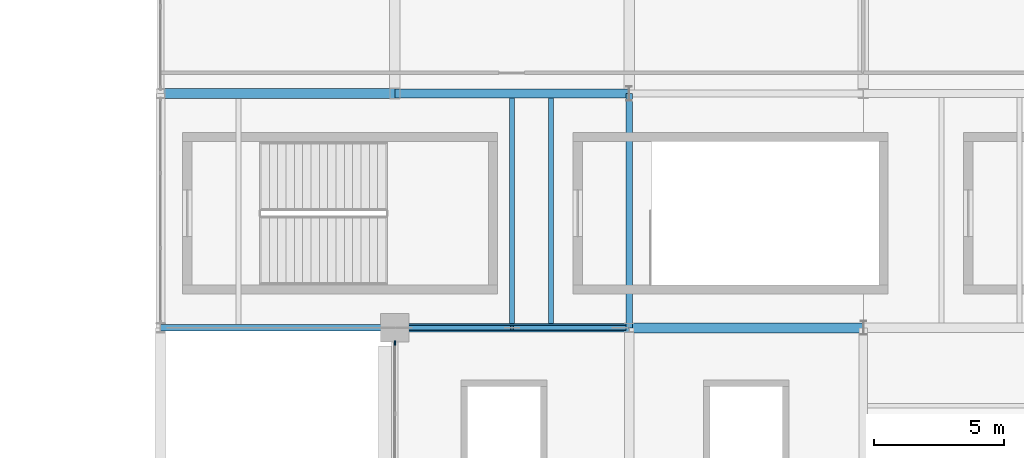
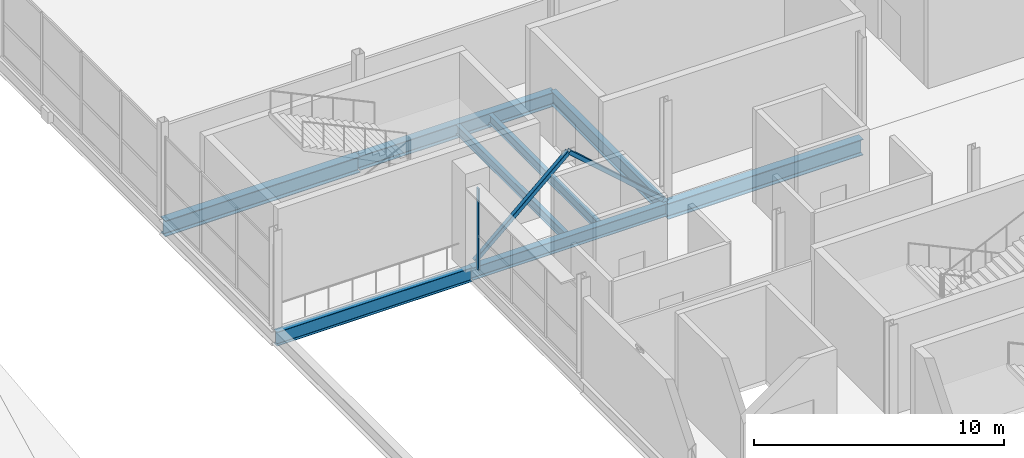
# One storey, part 27 of 69: 8 beams, 3 members, 1 element without a shape of its own.
"""IFC4 building model written with IfcOpenShell, lengths in metres."""

from ifc_helpers import new_model, si_unit, direction, frame, origin, origin_2d, place, context, subcontext, project, spatial, rectangle, hollow_rectangle, i_section, extrude, material, layer, layer_set, material_profile, profile_set, type_object, element, aggregate, save


model = new_model("IFC4")

# Units and contexts
model_context = context("Model", 3, precision=1e-05, world=origin(), true_north=direction((0.0, 1.0)))
body_context = subcontext(model_context, "Body", "Model", "MODEL_VIEW")
ifc_project = project(units=[si_unit("LENGTHUNIT", "METRE"), si_unit("AREAUNIT", "SQUARE_METRE"), si_unit("VOLUMEUNIT", "CUBIC_METRE"), si_unit("PLANEANGLEUNIT", "RADIAN"), si_unit("MASSUNIT", "GRAM", prefix="KILO")], contexts=[model_context])

# Site, building, storey
site_placement = place(None, origin())
site = spatial("IfcSite", under=ifc_project, at=site_placement, CompositionType="ELEMENT")
building_placement = place(site_placement, origin())
building = spatial("IfcBuilding", under=site, at=building_placement, Name="Qamarlyn Nura Convention Centre", CompositionType="ELEMENT")
storey_placement = place(building_placement, frame((0.0, 0.0, 15.60009765625)))
storey = spatial("IfcBuildingStorey", under=building, at=storey_placement, Name="L03", CompositionType="ELEMENT", Elevation=15.60009765625)

# Beams
ifc_material_1 = material(Name="Steel ASTM A992", Category="steel")
ifc_material_profile_1 = material_profile(ifc_material_1, i_section(OverallWidth=0.323974609375, OverallDepth=0.611083984375, WebThickness=0.0126953125, FlangeThickness=0.01904296875, FilletRadius=0.01611328125, at=origin_2d()), Name="W610X155")
ifc_profile_set_1 = profile_set([ifc_material_profile_1], Name="Steel ASTM A992")
beam_type_1 = type_object("IfcBeamType", Name="BM-GIRD-610", PredefinedType="BEAM", material=ifc_profile_set_1)
beam_1_placement = place(storey_placement, frame((153.0, 81.0, -0.505615234375), z_axis=(1.0, 0.0, 0.0), x_axis=(0.0, 1.0, 0.0)))
element("IfcBeam", 1, at=beam_1_placement, inside=storey, type_object=beam_type_1, Name="L03 girder K 13-14", PredefinedType="BEAM", context=body_context, shape_type="SweptSolid", body=[
    extrude(i_section(OverallWidth=0.323974609375, OverallDepth=0.611083984375, WebThickness=0.0126953125, FlangeThickness=0.01904296875, FilletRadius=0.01611328125, at=origin_2d()), origin(), (0.0, 0.0, 1.0), 9.0),
])
ifc_material_profile_2 = material_profile(ifc_material_1, i_section(OverallWidth=0.35498046875, OverallDepth=0.695068359375, WebThickness=0.015380859375, FlangeThickness=0.02490234375, FilletRadius=0.01806640625, at=origin_2d()), Name="W690X217")
ifc_profile_set_2 = profile_set([ifc_material_profile_2], Name="Steel ASTM A992")
beam_type_2 = type_object("IfcBeamType", Name="BM-GIRD-690A", PredefinedType="BEAM", material=ifc_profile_set_2)
beam_2_placement = place(storey_placement, frame((153.0, 90.0, -0.547607421875), z_axis=(1.0, 0.0, 0.0), x_axis=(0.0, 1.0, 0.0)))
element("IfcBeam", 2, at=beam_2_placement, inside=storey, type_object=beam_type_2, Name="L03 girder L 13-14", PredefinedType="BEAM", context=body_context, shape_type="SweptSolid", body=[
    extrude(i_section(OverallWidth=0.35498046875, OverallDepth=0.695068359375, WebThickness=0.015380859375, FlangeThickness=0.02490234375, FilletRadius=0.01806640625, at=origin_2d()), origin(), (0.0, 0.0, 1.0), 9.0),
])
ifc_material_profile_3 = material_profile(ifc_material_1, i_section(OverallWidth=0.25390625, OverallDepth=0.68408203125, WebThickness=0.012451171875, FlangeThickness=0.01904296875, FilletRadius=0.01806640625, at=origin_2d()), Name="W690X140")
ifc_profile_set_3 = profile_set([ifc_material_profile_3], Name="Steel ASTM A992")
beam_type_3 = type_object("IfcBeamType", Name="BM-GIRD-690B", PredefinedType="BEAM", material=ifc_profile_set_3)
for number, where, z_axis, x_axis, name in (
    (3, (144.0, 81.0, -0.5419921875), (1.0, 0.0, 0.0), (0.0, 1.0, 0.0), "L03 girder K 12-13"),
    (4, (162.0, 81.0, -0.5419921875), (0.0, 1.0, 0.0), (-1.0, 0.0, 0.0), "L03 girder 14 K-L"),
):
    element("IfcBeam", number, at=place(storey_placement, frame(where, z_axis=z_axis, x_axis=x_axis)), inside=storey, type_object=beam_type_3, Name=name, PredefinedType="BEAM", context=body_context, shape_type="SweptSolid", body=[
        extrude(i_section(OverallWidth=0.25390625, OverallDepth=0.68408203125, WebThickness=0.012451171875, FlangeThickness=0.01904296875, FilletRadius=0.01806640625, at=origin_2d()), origin(), (0.0, 0.0, 1.0), 9.0),
    ])
ifc_material_profile_4 = material_profile(ifc_material_1, i_section(OverallWidth=0.381103515625, OverallDepth=0.77294921875, WebThickness=0.0166015625, FlangeThickness=0.027587890625, FilletRadius=0.02001953125, at=origin_2d()), Name="W760X257")
ifc_profile_set_4 = profile_set([ifc_material_profile_4], Name="Steel ASTM A992")
beam_type_4 = type_object("IfcBeamType", Name="BM-GIRD-760", PredefinedType="BEAM", material=ifc_profile_set_4)
for number, where, z_axis, x_axis, name in (
    (5, (162.0, 81.0, -0.586669921875), (1.0, 0.0, 0.0), (0.0, 1.0, 0.0), "L03 girder K 14-15"),
    (6, (144.0, 90.0, -0.586669921875), (1.0, 0.0, 0.0), (0.0, 1.0, 0.0), "L03 girder L 12-13"),
):
    element("IfcBeam", number, at=place(storey_placement, frame(where, z_axis=z_axis, x_axis=x_axis)), inside=storey, type_object=beam_type_4, Name=name, PredefinedType="BEAM", context=body_context, shape_type="SweptSolid", body=[
        extrude(i_section(OverallWidth=0.381103515625, OverallDepth=0.77294921875, WebThickness=0.0166015625, FlangeThickness=0.027587890625, FilletRadius=0.02001953125, at=origin_2d()), origin(), (0.0, 0.0, 1.0), 9.0),
    ])
ifc_material_profile_5 = material_profile(ifc_material_1, i_section(OverallWidth=0.18994140625, OverallDepth=0.45703125, WebThickness=0.009033203125, FlangeThickness=0.014404296875, FilletRadius=0.012939453125, at=origin_2d()), Name="W460X74")
ifc_profile_set_5 = profile_set([ifc_material_profile_5], Name="Steel ASTM A992")
beam_type_5 = type_object("IfcBeamType", Name="BM-JOIST-460", PredefinedType="JOIST", material=ifc_profile_set_5)
for number, where, z_axis, x_axis, name in (
    (7, (159.0, 81.162109375, -0.4287109375), (0.0, 1.0, 0.0), (-1.0, 0.0, 0.0), "L03 secondary joist 13-14/K-L-12"),
    (8, (157.5, 81.162109375, -0.4287109375), (0.0, 1.0, 0.0), (-1.0, 0.0, 0.0), "L03 secondary joist 13-14/K-L-13"),
):
    element("IfcBeam", number, at=place(storey_placement, frame(where, z_axis=z_axis, x_axis=x_axis)), inside=storey, type_object=beam_type_5, Name=name, PredefinedType="JOIST", context=body_context, shape_type="SweptSolid", body=[
        extrude(i_section(OverallWidth=0.18994140625, OverallDepth=0.45703125, WebThickness=0.009033203125, FlangeThickness=0.014404296875, FilletRadius=0.012939453125, at=origin_2d()), origin(), (0.0, 0.0, 1.0), 8.660400390625),
    ])

# Members
ifc_material_2 = material(Name="Steel ASTM A500 Grade C", Category="steel")
ifc_material_profile_6 = material_profile(ifc_material_2, hollow_rectangle(XDim=0.199951171875, YDim=0.199951171875, WallThickness=0.010009765625, InnerFilletRadius=0.010009765625, OuterFilletRadius=0.02001953125, at=origin_2d()), Name="HSS200X200X10")
ifc_profile_set_6 = profile_set([ifc_material_profile_6], Name="Steel ASTM A500 Grade C")
member_type_1 = type_object("IfcMemberType", Name="CBF-BRC-200", PredefinedType="BRACE", material=ifc_profile_set_6)
for number, where, z_axis, x_axis, name in (
    (9, (153.179931640625, 81.0, 0.0), (0.748540186518, 0.0, 0.66308942773), (0.0, 1.0, 0.0), "L03 SCBF chevron brace CBF-N1L"),
    (10, (161.820068359375, 81.0, 0.0), (-0.748540186518, 0.0, 0.66308942773), (0.0, -1.0, 0.0), "L03 SCBF chevron brace CBF-N1R"),
):
    element("IfcMember", number, at=place(storey_placement, frame(where, z_axis=z_axis, x_axis=x_axis)), inside=storey, type_object=member_type_1, Name=name, PredefinedType="BRACE", context=body_context, shape_type="SweptSolid", body=[
        extrude(hollow_rectangle(XDim=0.199951171875, YDim=0.199951171875, WallThickness=0.010009765625, InnerFilletRadius=0.010009765625, OuterFilletRadius=0.02001953125, at=origin_2d()), origin(), (0.0, 0.0, 1.0), 5.771240234375),
    ])

# Curtain wall, member
ifc_material_3 = material(Name="Double-silver low-E insulated glass", Category="glass")
ifc_layer = layer(ifc_material_3, 0.179931640625, Name="CW-UNIT-101")
ifc_layer_set = layer_set([ifc_layer], Name="Double-silver low-E insulated glass")
curtain_wall_type = type_object("IfcCurtainWallType", Name="CW-UNIT-101", PredefinedType="NOTDEFINED", material=ifc_layer_set)
curtain_wall_placement = place(storey_placement, origin())
curtain_wall = element("IfcCurtainWall", 11, at=curtain_wall_placement, inside=storey, type_object=curtain_wall_type, Name="L03 unitised curtain wall CRT-72-1", PredefinedType="NOTDEFINED")
ifc_material_4 = material(Name="Champagne-anodised marine aluminium", Category="aluminium")
ifc_material_profile_7 = material_profile(ifc_material_4, rectangle(XDim=0.06494140625, YDim=0.159912109375, at=origin_2d()), Name="ALU MULLION 65x160")
ifc_profile_set_7 = profile_set([ifc_material_profile_7], Name="Champagne-anodised marine aluminium")
member_type_2 = type_object("IfcMemberType", Name="CWM-160", PredefinedType="MULLION", material=ifc_profile_set_7)
member_placement = place(storey_placement, frame((153.0, 80.41748046875, 0.0), z_axis=(0.0, 0.0, 1.0), x_axis=(-1.0, 0.0, 0.0)))
member = element("IfcMember", 12, at=member_placement, type_object=member_type_2, Name="CW101 mullion 4", PredefinedType="MULLION", context=body_context, shape_type="SweptSolid", body=[
    extrude(rectangle(XDim=0.06494140625, YDim=0.159912109375, at=origin_2d()), origin(), (0.0, 0.0, 1.0), 3.973876953125),
])
aggregate(curtain_wall, [member])

save(model, "model.ifc")
